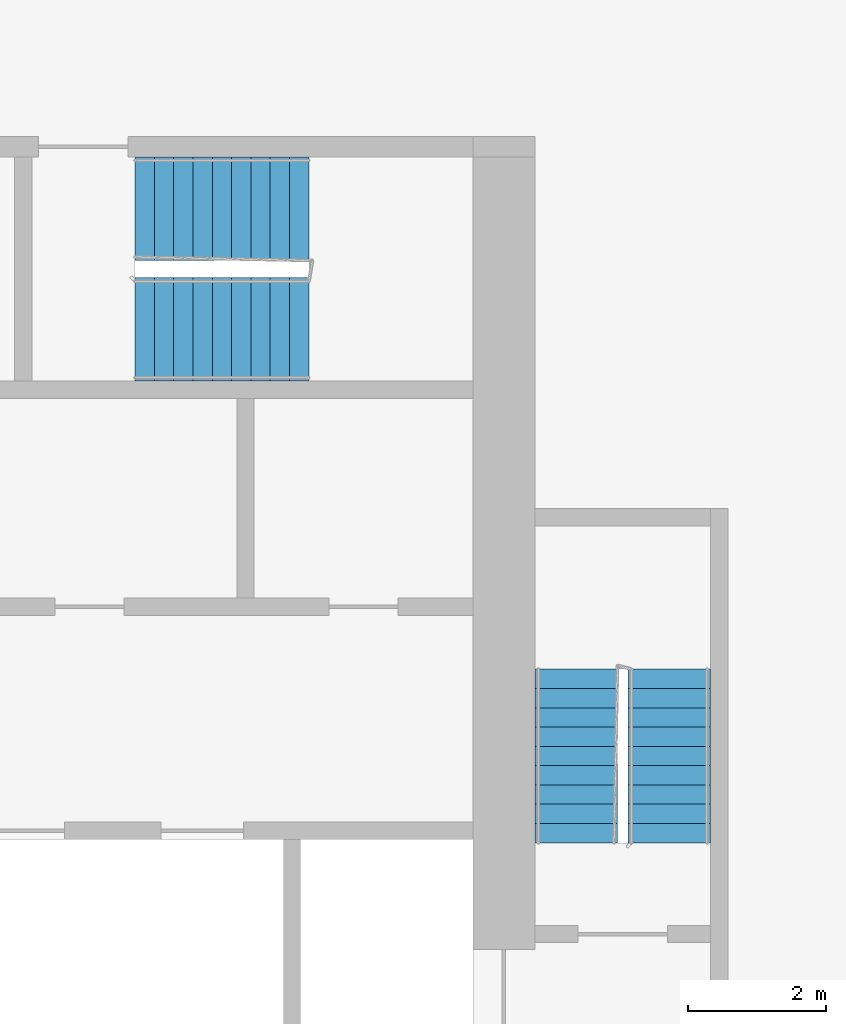
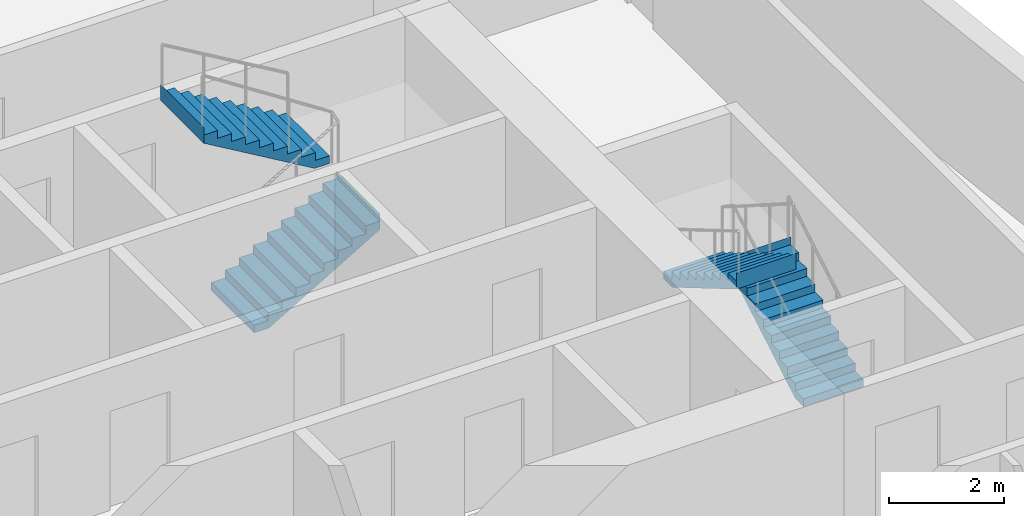
# One storey, part 11 of 12: 4 stair flights, 2 elements without a shape of their own.
"""IFC4 building model written with IfcOpenShell, lengths in metres."""

from ifc_helpers import new_model, si_unit, direction, frame, origin, place, context, subcontext, project, spatial, faceted_brep, material, type_object, element, aggregate, save


model = new_model("IFC4")

# Units and contexts
model_context = context("Model", 3, precision=1e-05, world=origin(), true_north=direction((0.0, 1.0)))
body_context = subcontext(model_context, "Body", "Model", "MODEL_VIEW")
ifc_project = project(units=[si_unit("LENGTHUNIT", "METRE"), si_unit("AREAUNIT", "SQUARE_METRE"), si_unit("VOLUMEUNIT", "CUBIC_METRE"), si_unit("PLANEANGLEUNIT", "RADIAN"), si_unit("MASSUNIT", "GRAM", prefix="KILO")], contexts=[model_context])

# Site, building, storey
site_placement = place(None, origin())
site = spatial("IfcSite", under=ifc_project, at=site_placement, CompositionType="ELEMENT")
building_placement = place(site_placement, origin())
building = spatial("IfcBuilding", under=site, at=building_placement, Name="Kajstack Hotel Tower", CompositionType="ELEMENT")
storey_placement = place(building_placement, frame((0.0, 0.0, 199.89990234375)))
storey = spatial("IfcBuildingStorey", under=building, at=storey_placement, Name="L48", CompositionType="ELEMENT", Elevation=199.89990234375)

# Stair, stair flights
ifc_material = material(Name="Concrete C40/50", Category="concrete")
stair_type_1 = type_object("IfcStairType", Name="Exit stair 1200", PredefinedType="HALF_TURN_STAIR", material=ifc_material)
stair_1_placement = place(storey_placement, origin())
stair_1 = element("IfcStair", 1, at=stair_1_placement, inside=storey, type_object=stair_type_1, Name="L48 stair E1", PredefinedType="HALF_TURN_STAIR")
stair_flight_type_1 = type_object("IfcStairFlightType", Name="Exit stair flight 1200", PredefinedType="STRAIGHT", material=ifc_material)
stair_flight_1_placement = place(storey_placement, frame((33.449951171875, 5.25, 0.0), z_axis=(0.0, 0.0, 1.0), x_axis=(0.0, 1.0, 0.0)))
stair_flight_1 = element("IfcStairFlight", 2, at=stair_flight_1_placement, type_object=stair_flight_type_1, Name="E1 flight 1", NumberOfRisers=10, NumberOfTreads=9, PredefinedType="STRAIGHT", RiserHeight=0.165, TreadLength=0.28, context=body_context, shape_type="Brep", body=[
    faceted_brep([(0.295654296875, -0.60009765625, 0.0), (2.5205078125, -0.60009765625, 1.31103515625), (2.5205078125, -0.60009765625, 1.64990234375), (2.52001953125, -0.60009765625, 1.64990234375), (2.52001953125, -0.60009765625, 1.485107421875), (2.239990234375, -0.60009765625, 1.485107421875), (2.239990234375, -0.60009765625, 1.320068359375), (1.9599609375, -0.60009765625, 1.320068359375), (1.9599609375, -0.60009765625, 1.155029296875), (1.679931640625, -0.60009765625, 1.155029296875), (1.679931640625, -0.60009765625, 0.989990234375), (1.39990234375, -0.60009765625, 0.989990234375), (1.39990234375, -0.60009765625, 0.824951171875), (1.1201171875, -0.60009765625, 0.824951171875), (1.1201171875, -0.60009765625, 0.659912109375), (0.840087890625, -0.60009765625, 0.659912109375), (0.840087890625, -0.60009765625, 0.4951171875), (0.56005859375, -0.60009765625, 0.4951171875), (0.56005859375, -0.60009765625, 0.330078125), (0.280029296875, -0.60009765625, 0.330078125), (0.280029296875, -0.60009765625, 0.1650390625), (-0.00048828125, -0.60009765625, 0.1650390625), (-0.00048828125, -0.60009765625, 0.0), (-0.00048828125, 0.60009765625, 0.0), (-0.00048828125, 0.60009765625, 0.1650390625), (0.280029296875, 0.60009765625, 0.1650390625), (0.280029296875, 0.60009765625, 0.330078125), (0.56005859375, 0.60009765625, 0.330078125), (0.56005859375, 0.60009765625, 0.4951171875), (0.840087890625, 0.60009765625, 0.4951171875), (0.840087890625, 0.60009765625, 0.659912109375), (1.1201171875, 0.60009765625, 0.659912109375), (1.1201171875, 0.60009765625, 0.824951171875), (1.39990234375, 0.60009765625, 0.824951171875), (1.39990234375, 0.60009765625, 0.989990234375), (1.679931640625, 0.60009765625, 0.989990234375), (1.679931640625, 0.60009765625, 1.155029296875), (1.9599609375, 0.60009765625, 1.155029296875), (1.9599609375, 0.60009765625, 1.320068359375), (2.239990234375, 0.60009765625, 1.320068359375), (2.239990234375, 0.60009765625, 1.485107421875), (2.52001953125, 0.60009765625, 1.485107421875), (2.52001953125, 0.60009765625, 1.64990234375), (2.5205078125, 0.60009765625, 1.64990234375), (2.5205078125, 0.60009765625, 1.31103515625), (0.295654296875, 0.60009765625, 0.0), (-0.00048828125, -0.300048828125, 0.1650390625), (-0.00048828125, 0.0, 0.1650390625), (-0.00048828125, 0.300048828125, 0.1650390625), (-0.00048828125, 0.300048828125, 0.0), (-0.00048828125, 0.0, 0.0), (-0.00048828125, -0.300048828125, 0.0), (0.280029296875, -0.300048828125, 0.1650390625), (0.280029296875, 0.0, 0.1650390625), (0.280029296875, 0.300048828125, 0.1650390625), (0.280029296875, -0.300048828125, 0.330078125), (0.280029296875, 0.0, 0.330078125), (0.280029296875, 0.300048828125, 0.330078125), (0.56005859375, -0.300048828125, 0.330078125), (0.56005859375, 0.0, 0.330078125), (0.56005859375, 0.300048828125, 0.330078125), (0.56005859375, -0.300048828125, 0.4951171875), (0.56005859375, 0.0, 0.4951171875), (0.56005859375, 0.300048828125, 0.4951171875), (0.840087890625, -0.300048828125, 0.4951171875), (0.840087890625, 0.0, 0.4951171875), (0.840087890625, 0.300048828125, 0.4951171875), (0.840087890625, -0.300048828125, 0.659912109375), (0.840087890625, 0.0, 0.659912109375), (0.840087890625, 0.300048828125, 0.659912109375), (1.1201171875, -0.300048828125, 0.659912109375), (1.1201171875, 0.0, 0.659912109375), (1.1201171875, 0.300048828125, 0.659912109375), (1.1201171875, -0.300048828125, 0.824951171875), (1.1201171875, 0.0, 0.824951171875), (1.1201171875, 0.300048828125, 0.824951171875), (1.39990234375, -0.300048828125, 0.824951171875), (1.39990234375, 0.0, 0.824951171875), (1.39990234375, 0.300048828125, 0.824951171875), (1.39990234375, -0.300048828125, 0.989990234375), (1.39990234375, 0.0, 0.989990234375), (1.39990234375, 0.300048828125, 0.989990234375), (1.679931640625, -0.300048828125, 0.989990234375), (1.679931640625, 0.0, 0.989990234375), (1.679931640625, 0.300048828125, 0.989990234375), (1.679931640625, -0.300048828125, 1.155029296875), (1.679931640625, 0.0, 1.155029296875), (1.679931640625, 0.300048828125, 1.155029296875), (1.9599609375, -0.300048828125, 1.155029296875), (1.9599609375, 0.0, 1.155029296875), (1.9599609375, 0.300048828125, 1.155029296875), (1.9599609375, -0.300048828125, 1.320068359375), (1.9599609375, 0.0, 1.320068359375), (1.9599609375, 0.300048828125, 1.320068359375), (2.239990234375, -0.300048828125, 1.320068359375), (2.239990234375, 0.0, 1.320068359375), (2.239990234375, 0.300048828125, 1.320068359375), (2.239990234375, -0.300048828125, 1.485107421875), (2.239990234375, 0.0, 1.485107421875), (2.239990234375, 0.300048828125, 1.485107421875), (2.52001953125, -0.300048828125, 1.485107421875), (2.52001953125, 0.0, 1.485107421875), (2.52001953125, 0.300048828125, 1.485107421875), (2.52001953125, -0.300048828125, 1.64990234375), (2.52001953125, 0.0, 1.64990234375), (2.52001953125, 0.300048828125, 1.64990234375), (2.5205078125, -0.300048828125, 1.64990234375), (2.5205078125, 0.0, 1.64990234375), (2.5205078125, 0.300048828125, 1.64990234375), (2.5205078125, -0.300048828125, 1.31103515625), (2.5205078125, 0.0, 1.31103515625), (2.5205078125, 0.300048828125, 1.31103515625), (0.295654296875, -0.300048828125, 0.0), (0.295654296875, 0.0, 0.0), (0.295654296875, 0.300048828125, 0.0)], [[[0, 1, 2, 3, 4, 5, 6, 7, 8, 9, 10, 11, 12, 13, 14, 15, 16, 17, 18, 19, 20, 21, 22]], [[23, 24, 25, 26, 27, 28, 29, 30, 31, 32, 33, 34, 35, 36, 37, 38, 39, 40, 41, 42, 43, 44, 45]], [[21, 46, 47, 48, 24, 23, 49, 50, 51, 22]], [[20, 52, 53, 54, 25, 24, 48, 47, 46, 21]], [[19, 55, 56, 57, 26, 25, 54, 53, 52, 20]], [[18, 58, 59, 60, 27, 26, 57, 56, 55, 19]], [[17, 61, 62, 63, 28, 27, 60, 59, 58, 18]], [[16, 64, 65, 66, 29, 28, 63, 62, 61, 17]], [[15, 67, 68, 69, 30, 29, 66, 65, 64, 16]], [[14, 70, 71, 72, 31, 30, 69, 68, 67, 15]], [[13, 73, 74, 75, 32, 31, 72, 71, 70, 14]], [[12, 76, 77, 78, 33, 32, 75, 74, 73, 13]], [[11, 79, 80, 81, 34, 33, 78, 77, 76, 12]], [[10, 82, 83, 84, 35, 34, 81, 80, 79, 11]], [[9, 85, 86, 87, 36, 35, 84, 83, 82, 10]], [[8, 88, 89, 90, 37, 36, 87, 86, 85, 9]], [[7, 91, 92, 93, 38, 37, 90, 89, 88, 8]], [[6, 94, 95, 96, 39, 38, 93, 92, 91, 7]], [[5, 97, 98, 99, 40, 39, 96, 95, 94, 6]], [[4, 100, 101, 102, 41, 40, 99, 98, 97, 5]], [[3, 103, 104, 105, 42, 41, 102, 101, 100, 4]], [[2, 106, 107, 108, 43, 42, 105, 104, 103, 3]], [[1, 109, 110, 111, 44, 43, 108, 107, 106, 2]], [[0, 112, 113, 114, 45, 44, 111, 110, 109, 1]], [[22, 51, 50, 49, 23, 45, 114, 113, 112, 0]]]),
])
stair_flight_2_placement = place(storey_placement, frame((32.10009765625, 7.77001953125, 1.650146484375), z_axis=(0.0, 0.0, 1.0), x_axis=(0.0, -1.0, 0.0)))
stair_flight_2 = element("IfcStairFlight", 3, at=stair_flight_2_placement, type_object=stair_flight_type_1, Name="E1 flight 2", NumberOfRisers=10, NumberOfTreads=9, PredefinedType="STRAIGHT", RiserHeight=0.165, TreadLength=0.28, context=body_context, shape_type="Brep", body=[
    faceted_brep([(0.295654296875, -0.60009765625, 0.0), (2.5205078125, -0.60009765625, 1.31103515625), (2.5205078125, -0.60009765625, 1.64990234375), (2.52001953125, -0.60009765625, 1.64990234375), (2.52001953125, -0.60009765625, 1.485107421875), (2.239990234375, -0.60009765625, 1.485107421875), (2.239990234375, -0.60009765625, 1.320068359375), (1.9599609375, -0.60009765625, 1.320068359375), (1.9599609375, -0.60009765625, 1.155029296875), (1.679931640625, -0.60009765625, 1.155029296875), (1.679931640625, -0.60009765625, 0.989990234375), (1.39990234375, -0.60009765625, 0.989990234375), (1.39990234375, -0.60009765625, 0.824951171875), (1.1201171875, -0.60009765625, 0.824951171875), (1.1201171875, -0.60009765625, 0.659912109375), (0.840087890625, -0.60009765625, 0.659912109375), (0.840087890625, -0.60009765625, 0.4951171875), (0.56005859375, -0.60009765625, 0.4951171875), (0.56005859375, -0.60009765625, 0.330078125), (0.280029296875, -0.60009765625, 0.330078125), (0.280029296875, -0.60009765625, 0.1650390625), (-0.00048828125, -0.60009765625, 0.1650390625), (-0.00048828125, -0.60009765625, 0.0), (-0.00048828125, 0.60009765625, 0.0), (-0.00048828125, 0.60009765625, 0.1650390625), (0.280029296875, 0.60009765625, 0.1650390625), (0.280029296875, 0.60009765625, 0.330078125), (0.56005859375, 0.60009765625, 0.330078125), (0.56005859375, 0.60009765625, 0.4951171875), (0.840087890625, 0.60009765625, 0.4951171875), (0.840087890625, 0.60009765625, 0.659912109375), (1.1201171875, 0.60009765625, 0.659912109375), (1.1201171875, 0.60009765625, 0.824951171875), (1.39990234375, 0.60009765625, 0.824951171875), (1.39990234375, 0.60009765625, 0.989990234375), (1.679931640625, 0.60009765625, 0.989990234375), (1.679931640625, 0.60009765625, 1.155029296875), (1.9599609375, 0.60009765625, 1.155029296875), (1.9599609375, 0.60009765625, 1.320068359375), (2.239990234375, 0.60009765625, 1.320068359375), (2.239990234375, 0.60009765625, 1.485107421875), (2.52001953125, 0.60009765625, 1.485107421875), (2.52001953125, 0.60009765625, 1.64990234375), (2.5205078125, 0.60009765625, 1.64990234375), (2.5205078125, 0.60009765625, 1.31103515625), (0.295654296875, 0.60009765625, 0.0), (-0.00048828125, -0.300048828125, 0.1650390625), (-0.00048828125, 0.0, 0.1650390625), (-0.00048828125, 0.300048828125, 0.1650390625), (-0.00048828125, 0.300048828125, 0.0), (-0.00048828125, 0.0, 0.0), (-0.00048828125, -0.300048828125, 0.0), (0.280029296875, -0.300048828125, 0.1650390625), (0.280029296875, 0.0, 0.1650390625), (0.280029296875, 0.300048828125, 0.1650390625), (0.280029296875, -0.300048828125, 0.330078125), (0.280029296875, 0.0, 0.330078125), (0.280029296875, 0.300048828125, 0.330078125), (0.56005859375, -0.300048828125, 0.330078125), (0.56005859375, 0.0, 0.330078125), (0.56005859375, 0.300048828125, 0.330078125), (0.56005859375, -0.300048828125, 0.4951171875), (0.56005859375, 0.0, 0.4951171875), (0.56005859375, 0.300048828125, 0.4951171875), (0.840087890625, -0.300048828125, 0.4951171875), (0.840087890625, 0.0, 0.4951171875), (0.840087890625, 0.300048828125, 0.4951171875), (0.840087890625, -0.300048828125, 0.659912109375), (0.840087890625, 0.0, 0.659912109375), (0.840087890625, 0.300048828125, 0.659912109375), (1.1201171875, -0.300048828125, 0.659912109375), (1.1201171875, 0.0, 0.659912109375), (1.1201171875, 0.300048828125, 0.659912109375), (1.1201171875, -0.300048828125, 0.824951171875), (1.1201171875, 0.0, 0.824951171875), (1.1201171875, 0.300048828125, 0.824951171875), (1.39990234375, -0.300048828125, 0.824951171875), (1.39990234375, 0.0, 0.824951171875), (1.39990234375, 0.300048828125, 0.824951171875), (1.39990234375, -0.300048828125, 0.989990234375), (1.39990234375, 0.0, 0.989990234375), (1.39990234375, 0.300048828125, 0.989990234375), (1.679931640625, -0.300048828125, 0.989990234375), (1.679931640625, 0.0, 0.989990234375), (1.679931640625, 0.300048828125, 0.989990234375), (1.679931640625, -0.300048828125, 1.155029296875), (1.679931640625, 0.0, 1.155029296875), (1.679931640625, 0.300048828125, 1.155029296875), (1.9599609375, -0.300048828125, 1.155029296875), (1.9599609375, 0.0, 1.155029296875), (1.9599609375, 0.300048828125, 1.155029296875), (1.9599609375, -0.300048828125, 1.320068359375), (1.9599609375, 0.0, 1.320068359375), (1.9599609375, 0.300048828125, 1.320068359375), (2.239990234375, -0.300048828125, 1.320068359375), (2.239990234375, 0.0, 1.320068359375), (2.239990234375, 0.300048828125, 1.320068359375), (2.239990234375, -0.300048828125, 1.485107421875), (2.239990234375, 0.0, 1.485107421875), (2.239990234375, 0.300048828125, 1.485107421875), (2.52001953125, -0.300048828125, 1.485107421875), (2.52001953125, 0.0, 1.485107421875), (2.52001953125, 0.300048828125, 1.485107421875), (2.52001953125, -0.300048828125, 1.64990234375), (2.52001953125, 0.0, 1.64990234375), (2.52001953125, 0.300048828125, 1.64990234375), (2.5205078125, -0.300048828125, 1.64990234375), (2.5205078125, 0.0, 1.64990234375), (2.5205078125, 0.300048828125, 1.64990234375), (2.5205078125, -0.300048828125, 1.31103515625), (2.5205078125, 0.0, 1.31103515625), (2.5205078125, 0.300048828125, 1.31103515625), (0.295654296875, -0.300048828125, 0.0), (0.295654296875, 0.0, 0.0), (0.295654296875, 0.300048828125, 0.0)], [[[0, 1, 2, 3, 4, 5, 6, 7, 8, 9, 10, 11, 12, 13, 14, 15, 16, 17, 18, 19, 20, 21, 22]], [[23, 24, 25, 26, 27, 28, 29, 30, 31, 32, 33, 34, 35, 36, 37, 38, 39, 40, 41, 42, 43, 44, 45]], [[21, 46, 47, 48, 24, 23, 49, 50, 51, 22]], [[20, 52, 53, 54, 25, 24, 48, 47, 46, 21]], [[19, 55, 56, 57, 26, 25, 54, 53, 52, 20]], [[18, 58, 59, 60, 27, 26, 57, 56, 55, 19]], [[17, 61, 62, 63, 28, 27, 60, 59, 58, 18]], [[16, 64, 65, 66, 29, 28, 63, 62, 61, 17]], [[15, 67, 68, 69, 30, 29, 66, 65, 64, 16]], [[14, 70, 71, 72, 31, 30, 69, 68, 67, 15]], [[13, 73, 74, 75, 32, 31, 72, 71, 70, 14]], [[12, 76, 77, 78, 33, 32, 75, 74, 73, 13]], [[11, 79, 80, 81, 34, 33, 78, 77, 76, 12]], [[10, 82, 83, 84, 35, 34, 81, 80, 79, 11]], [[9, 85, 86, 87, 36, 35, 84, 83, 82, 10]], [[8, 88, 89, 90, 37, 36, 87, 86, 85, 9]], [[7, 91, 92, 93, 38, 37, 90, 89, 88, 8]], [[6, 94, 95, 96, 39, 38, 93, 92, 91, 7]], [[5, 97, 98, 99, 40, 39, 96, 95, 94, 6]], [[4, 100, 101, 102, 41, 40, 99, 98, 97, 5]], [[3, 103, 104, 105, 42, 41, 102, 101, 100, 4]], [[2, 106, 107, 108, 43, 42, 105, 104, 103, 3]], [[1, 109, 110, 111, 44, 43, 108, 107, 106, 2]], [[0, 112, 113, 114, 45, 44, 111, 110, 109, 1]], [[22, 51, 50, 49, 23, 45, 114, 113, 112, 0]]]),
])
aggregate(stair_1, [stair_flight_1, stair_flight_2])

stair_type_2 = type_object("IfcStairType", Name="Exit stair 1500", PredefinedType="HALF_TURN_STAIR", material=ifc_material)
stair_2_placement = place(storey_placement, origin())
stair_2 = element("IfcStair", 4, at=stair_2_placement, inside=storey, type_object=stair_type_2, Name="L48 stair E3", PredefinedType="HALF_TURN_STAIR")
stair_flight_type_2 = type_object("IfcStairFlightType", Name="Exit stair flight 1500", PredefinedType="STRAIGHT", material=ifc_material)
stair_flight_3_placement = place(storey_placement, frame((25.699951171875, 12.699951171875, 0.0), z_axis=(0.0, 0.0, 1.0), x_axis=(1.0, 0.0, 0.0)))
stair_flight_3 = element("IfcStairFlight", 5, at=stair_flight_3_placement, type_object=stair_flight_type_2, Name="E3 flight 1", NumberOfRisers=10, NumberOfTreads=9, PredefinedType="STRAIGHT", RiserHeight=0.165, TreadLength=0.28, context=body_context, shape_type="Brep", body=[
    faceted_brep([(0.295654296875, -0.75, 0.0), (2.5205078125, -0.75, 1.31103515625), (2.5205078125, -0.75, 1.64990234375), (2.52001953125, -0.75, 1.64990234375), (2.52001953125, -0.75, 1.485107421875), (2.239990234375, -0.75, 1.485107421875), (2.239990234375, -0.75, 1.320068359375), (1.9599609375, -0.75, 1.320068359375), (1.9599609375, -0.75, 1.155029296875), (1.679931640625, -0.75, 1.155029296875), (1.679931640625, -0.75, 0.989990234375), (1.39990234375, -0.75, 0.989990234375), (1.39990234375, -0.75, 0.824951171875), (1.1201171875, -0.75, 0.824951171875), (1.1201171875, -0.75, 0.659912109375), (0.840087890625, -0.75, 0.659912109375), (0.840087890625, -0.75, 0.4951171875), (0.56005859375, -0.75, 0.4951171875), (0.56005859375, -0.75, 0.330078125), (0.280029296875, -0.75, 0.330078125), (0.280029296875, -0.75, 0.1650390625), (-0.00048828125, -0.75, 0.1650390625), (-0.00048828125, -0.75, 0.0), (-0.00048828125, 0.75, 0.0), (-0.00048828125, 0.75, 0.1650390625), (0.280029296875, 0.75, 0.1650390625), (0.280029296875, 0.75, 0.330078125), (0.56005859375, 0.75, 0.330078125), (0.56005859375, 0.75, 0.4951171875), (0.840087890625, 0.75, 0.4951171875), (0.840087890625, 0.75, 0.659912109375), (1.1201171875, 0.75, 0.659912109375), (1.1201171875, 0.75, 0.824951171875), (1.39990234375, 0.75, 0.824951171875), (1.39990234375, 0.75, 0.989990234375), (1.679931640625, 0.75, 0.989990234375), (1.679931640625, 0.75, 1.155029296875), (1.9599609375, 0.75, 1.155029296875), (1.9599609375, 0.75, 1.320068359375), (2.239990234375, 0.75, 1.320068359375), (2.239990234375, 0.75, 1.485107421875), (2.52001953125, 0.75, 1.485107421875), (2.52001953125, 0.75, 1.64990234375), (2.5205078125, 0.75, 1.64990234375), (2.5205078125, 0.75, 1.31103515625), (0.295654296875, 0.75, 0.0), (-0.00048828125, -0.375, 0.1650390625), (-0.00048828125, 0.0, 0.1650390625), (-0.00048828125, 0.375, 0.1650390625), (-0.00048828125, 0.375, 0.0), (-0.00048828125, 0.0, 0.0), (-0.00048828125, -0.375, 0.0), (0.280029296875, -0.375, 0.1650390625), (0.280029296875, 0.0, 0.1650390625), (0.280029296875, 0.375, 0.1650390625), (0.280029296875, -0.375, 0.330078125), (0.280029296875, 0.0, 0.330078125), (0.280029296875, 0.375, 0.330078125), (0.56005859375, -0.375, 0.330078125), (0.56005859375, 0.0, 0.330078125), (0.56005859375, 0.375, 0.330078125), (0.56005859375, -0.375, 0.4951171875), (0.56005859375, 0.0, 0.4951171875), (0.56005859375, 0.375, 0.4951171875), (0.840087890625, -0.375, 0.4951171875), (0.840087890625, 0.0, 0.4951171875), (0.840087890625, 0.375, 0.4951171875), (0.840087890625, -0.375, 0.659912109375), (0.840087890625, 0.0, 0.659912109375), (0.840087890625, 0.375, 0.659912109375), (1.1201171875, -0.375, 0.659912109375), (1.1201171875, 0.0, 0.659912109375), (1.1201171875, 0.375, 0.659912109375), (1.1201171875, -0.375, 0.824951171875), (1.1201171875, 0.0, 0.824951171875), (1.1201171875, 0.375, 0.824951171875), (1.39990234375, -0.375, 0.824951171875), (1.39990234375, 0.0, 0.824951171875), (1.39990234375, 0.375, 0.824951171875), (1.39990234375, -0.375, 0.989990234375), (1.39990234375, 0.0, 0.989990234375), (1.39990234375, 0.375, 0.989990234375), (1.679931640625, -0.375, 0.989990234375), (1.679931640625, 0.0, 0.989990234375), (1.679931640625, 0.375, 0.989990234375), (1.679931640625, -0.375, 1.155029296875), (1.679931640625, 0.0, 1.155029296875), (1.679931640625, 0.375, 1.155029296875), (1.9599609375, -0.375, 1.155029296875), (1.9599609375, 0.0, 1.155029296875), (1.9599609375, 0.375, 1.155029296875), (1.9599609375, -0.375, 1.320068359375), (1.9599609375, 0.0, 1.320068359375), (1.9599609375, 0.375, 1.320068359375), (2.239990234375, -0.375, 1.320068359375), (2.239990234375, 0.0, 1.320068359375), (2.239990234375, 0.375, 1.320068359375), (2.239990234375, -0.375, 1.485107421875), (2.239990234375, 0.0, 1.485107421875), (2.239990234375, 0.375, 1.485107421875), (2.52001953125, -0.375, 1.485107421875), (2.52001953125, 0.0, 1.485107421875), (2.52001953125, 0.375, 1.485107421875), (2.52001953125, -0.375, 1.64990234375), (2.52001953125, 0.0, 1.64990234375), (2.52001953125, 0.375, 1.64990234375), (2.5205078125, -0.375, 1.64990234375), (2.5205078125, 0.0, 1.64990234375), (2.5205078125, 0.375, 1.64990234375), (2.5205078125, -0.375, 1.31103515625), (2.5205078125, 0.0, 1.31103515625), (2.5205078125, 0.375, 1.31103515625), (0.295654296875, -0.375, 0.0), (0.295654296875, 0.0, 0.0), (0.295654296875, 0.375, 0.0)], [[[0, 1, 2, 3, 4, 5, 6, 7, 8, 9, 10, 11, 12, 13, 14, 15, 16, 17, 18, 19, 20, 21, 22]], [[23, 24, 25, 26, 27, 28, 29, 30, 31, 32, 33, 34, 35, 36, 37, 38, 39, 40, 41, 42, 43, 44, 45]], [[21, 46, 47, 48, 24, 23, 49, 50, 51, 22]], [[20, 52, 53, 54, 25, 24, 48, 47, 46, 21]], [[19, 55, 56, 57, 26, 25, 54, 53, 52, 20]], [[18, 58, 59, 60, 27, 26, 57, 56, 55, 19]], [[17, 61, 62, 63, 28, 27, 60, 59, 58, 18]], [[16, 64, 65, 66, 29, 28, 63, 62, 61, 17]], [[15, 67, 68, 69, 30, 29, 66, 65, 64, 16]], [[14, 70, 71, 72, 31, 30, 69, 68, 67, 15]], [[13, 73, 74, 75, 32, 31, 72, 71, 70, 14]], [[12, 76, 77, 78, 33, 32, 75, 74, 73, 13]], [[11, 79, 80, 81, 34, 33, 78, 77, 76, 12]], [[10, 82, 83, 84, 35, 34, 81, 80, 79, 11]], [[9, 85, 86, 87, 36, 35, 84, 83, 82, 10]], [[8, 88, 89, 90, 37, 36, 87, 86, 85, 9]], [[7, 91, 92, 93, 38, 37, 90, 89, 88, 8]], [[6, 94, 95, 96, 39, 38, 93, 92, 91, 7]], [[5, 97, 98, 99, 40, 39, 96, 95, 94, 6]], [[4, 100, 101, 102, 41, 40, 99, 98, 97, 5]], [[3, 103, 104, 105, 42, 41, 102, 101, 100, 4]], [[2, 106, 107, 108, 43, 42, 105, 104, 103, 3]], [[1, 109, 110, 111, 44, 43, 108, 107, 106, 2]], [[0, 112, 113, 114, 45, 44, 111, 110, 109, 1]], [[22, 51, 50, 49, 23, 45, 114, 113, 112, 0]]]),
])
stair_flight_4_placement = place(storey_placement, frame((28.219970703125, 14.449951171875, 1.650146484375), z_axis=(0.0, 0.0, 1.0), x_axis=(-1.0, 0.0, 0.0)))
stair_flight_4 = element("IfcStairFlight", 6, at=stair_flight_4_placement, type_object=stair_flight_type_2, Name="E3 flight 2", NumberOfRisers=10, NumberOfTreads=9, PredefinedType="STRAIGHT", RiserHeight=0.165, TreadLength=0.28, context=body_context, shape_type="Brep", body=[
    faceted_brep([(0.295654296875, -0.75, 0.0), (2.5205078125, -0.75, 1.31103515625), (2.5205078125, -0.75, 1.64990234375), (2.52001953125, -0.75, 1.64990234375), (2.52001953125, -0.75, 1.485107421875), (2.239990234375, -0.75, 1.485107421875), (2.239990234375, -0.75, 1.320068359375), (1.9599609375, -0.75, 1.320068359375), (1.9599609375, -0.75, 1.155029296875), (1.679931640625, -0.75, 1.155029296875), (1.679931640625, -0.75, 0.989990234375), (1.39990234375, -0.75, 0.989990234375), (1.39990234375, -0.75, 0.824951171875), (1.1201171875, -0.75, 0.824951171875), (1.1201171875, -0.75, 0.659912109375), (0.840087890625, -0.75, 0.659912109375), (0.840087890625, -0.75, 0.4951171875), (0.56005859375, -0.75, 0.4951171875), (0.56005859375, -0.75, 0.330078125), (0.280029296875, -0.75, 0.330078125), (0.280029296875, -0.75, 0.1650390625), (-0.00048828125, -0.75, 0.1650390625), (-0.00048828125, -0.75, 0.0), (-0.00048828125, 0.75, 0.0), (-0.00048828125, 0.75, 0.1650390625), (0.280029296875, 0.75, 0.1650390625), (0.280029296875, 0.75, 0.330078125), (0.56005859375, 0.75, 0.330078125), (0.56005859375, 0.75, 0.4951171875), (0.840087890625, 0.75, 0.4951171875), (0.840087890625, 0.75, 0.659912109375), (1.1201171875, 0.75, 0.659912109375), (1.1201171875, 0.75, 0.824951171875), (1.39990234375, 0.75, 0.824951171875), (1.39990234375, 0.75, 0.989990234375), (1.679931640625, 0.75, 0.989990234375), (1.679931640625, 0.75, 1.155029296875), (1.9599609375, 0.75, 1.155029296875), (1.9599609375, 0.75, 1.320068359375), (2.239990234375, 0.75, 1.320068359375), (2.239990234375, 0.75, 1.485107421875), (2.52001953125, 0.75, 1.485107421875), (2.52001953125, 0.75, 1.64990234375), (2.5205078125, 0.75, 1.64990234375), (2.5205078125, 0.75, 1.31103515625), (0.295654296875, 0.75, 0.0), (-0.00048828125, -0.375, 0.1650390625), (-0.00048828125, 0.0, 0.1650390625), (-0.00048828125, 0.375, 0.1650390625), (-0.00048828125, 0.375, 0.0), (-0.00048828125, 0.0, 0.0), (-0.00048828125, -0.375, 0.0), (0.280029296875, -0.375, 0.1650390625), (0.280029296875, 0.0, 0.1650390625), (0.280029296875, 0.375, 0.1650390625), (0.280029296875, -0.375, 0.330078125), (0.280029296875, 0.0, 0.330078125), (0.280029296875, 0.375, 0.330078125), (0.56005859375, -0.375, 0.330078125), (0.56005859375, 0.0, 0.330078125), (0.56005859375, 0.375, 0.330078125), (0.56005859375, -0.375, 0.4951171875), (0.56005859375, 0.0, 0.4951171875), (0.56005859375, 0.375, 0.4951171875), (0.840087890625, -0.375, 0.4951171875), (0.840087890625, 0.0, 0.4951171875), (0.840087890625, 0.375, 0.4951171875), (0.840087890625, -0.375, 0.659912109375), (0.840087890625, 0.0, 0.659912109375), (0.840087890625, 0.375, 0.659912109375), (1.1201171875, -0.375, 0.659912109375), (1.1201171875, 0.0, 0.659912109375), (1.1201171875, 0.375, 0.659912109375), (1.1201171875, -0.375, 0.824951171875), (1.1201171875, 0.0, 0.824951171875), (1.1201171875, 0.375, 0.824951171875), (1.39990234375, -0.375, 0.824951171875), (1.39990234375, 0.0, 0.824951171875), (1.39990234375, 0.375, 0.824951171875), (1.39990234375, -0.375, 0.989990234375), (1.39990234375, 0.0, 0.989990234375), (1.39990234375, 0.375, 0.989990234375), (1.679931640625, -0.375, 0.989990234375), (1.679931640625, 0.0, 0.989990234375), (1.679931640625, 0.375, 0.989990234375), (1.679931640625, -0.375, 1.155029296875), (1.679931640625, 0.0, 1.155029296875), (1.679931640625, 0.375, 1.155029296875), (1.9599609375, -0.375, 1.155029296875), (1.9599609375, 0.0, 1.155029296875), (1.9599609375, 0.375, 1.155029296875), (1.9599609375, -0.375, 1.320068359375), (1.9599609375, 0.0, 1.320068359375), (1.9599609375, 0.375, 1.320068359375), (2.239990234375, -0.375, 1.320068359375), (2.239990234375, 0.0, 1.320068359375), (2.239990234375, 0.375, 1.320068359375), (2.239990234375, -0.375, 1.485107421875), (2.239990234375, 0.0, 1.485107421875), (2.239990234375, 0.375, 1.485107421875), (2.52001953125, -0.375, 1.485107421875), (2.52001953125, 0.0, 1.485107421875), (2.52001953125, 0.375, 1.485107421875), (2.52001953125, -0.375, 1.64990234375), (2.52001953125, 0.0, 1.64990234375), (2.52001953125, 0.375, 1.64990234375), (2.5205078125, -0.375, 1.64990234375), (2.5205078125, 0.0, 1.64990234375), (2.5205078125, 0.375, 1.64990234375), (2.5205078125, -0.375, 1.31103515625), (2.5205078125, 0.0, 1.31103515625), (2.5205078125, 0.375, 1.31103515625), (0.295654296875, -0.375, 0.0), (0.295654296875, 0.0, 0.0), (0.295654296875, 0.375, 0.0)], [[[0, 1, 2, 3, 4, 5, 6, 7, 8, 9, 10, 11, 12, 13, 14, 15, 16, 17, 18, 19, 20, 21, 22]], [[23, 24, 25, 26, 27, 28, 29, 30, 31, 32, 33, 34, 35, 36, 37, 38, 39, 40, 41, 42, 43, 44, 45]], [[21, 46, 47, 48, 24, 23, 49, 50, 51, 22]], [[20, 52, 53, 54, 25, 24, 48, 47, 46, 21]], [[19, 55, 56, 57, 26, 25, 54, 53, 52, 20]], [[18, 58, 59, 60, 27, 26, 57, 56, 55, 19]], [[17, 61, 62, 63, 28, 27, 60, 59, 58, 18]], [[16, 64, 65, 66, 29, 28, 63, 62, 61, 17]], [[15, 67, 68, 69, 30, 29, 66, 65, 64, 16]], [[14, 70, 71, 72, 31, 30, 69, 68, 67, 15]], [[13, 73, 74, 75, 32, 31, 72, 71, 70, 14]], [[12, 76, 77, 78, 33, 32, 75, 74, 73, 13]], [[11, 79, 80, 81, 34, 33, 78, 77, 76, 12]], [[10, 82, 83, 84, 35, 34, 81, 80, 79, 11]], [[9, 85, 86, 87, 36, 35, 84, 83, 82, 10]], [[8, 88, 89, 90, 37, 36, 87, 86, 85, 9]], [[7, 91, 92, 93, 38, 37, 90, 89, 88, 8]], [[6, 94, 95, 96, 39, 38, 93, 92, 91, 7]], [[5, 97, 98, 99, 40, 39, 96, 95, 94, 6]], [[4, 100, 101, 102, 41, 40, 99, 98, 97, 5]], [[3, 103, 104, 105, 42, 41, 102, 101, 100, 4]], [[2, 106, 107, 108, 43, 42, 105, 104, 103, 3]], [[1, 109, 110, 111, 44, 43, 108, 107, 106, 2]], [[0, 112, 113, 114, 45, 44, 111, 110, 109, 1]], [[22, 51, 50, 49, 23, 45, 114, 113, 112, 0]]]),
])
aggregate(stair_2, [stair_flight_3, stair_flight_4])

save(model, "model.ifc")
